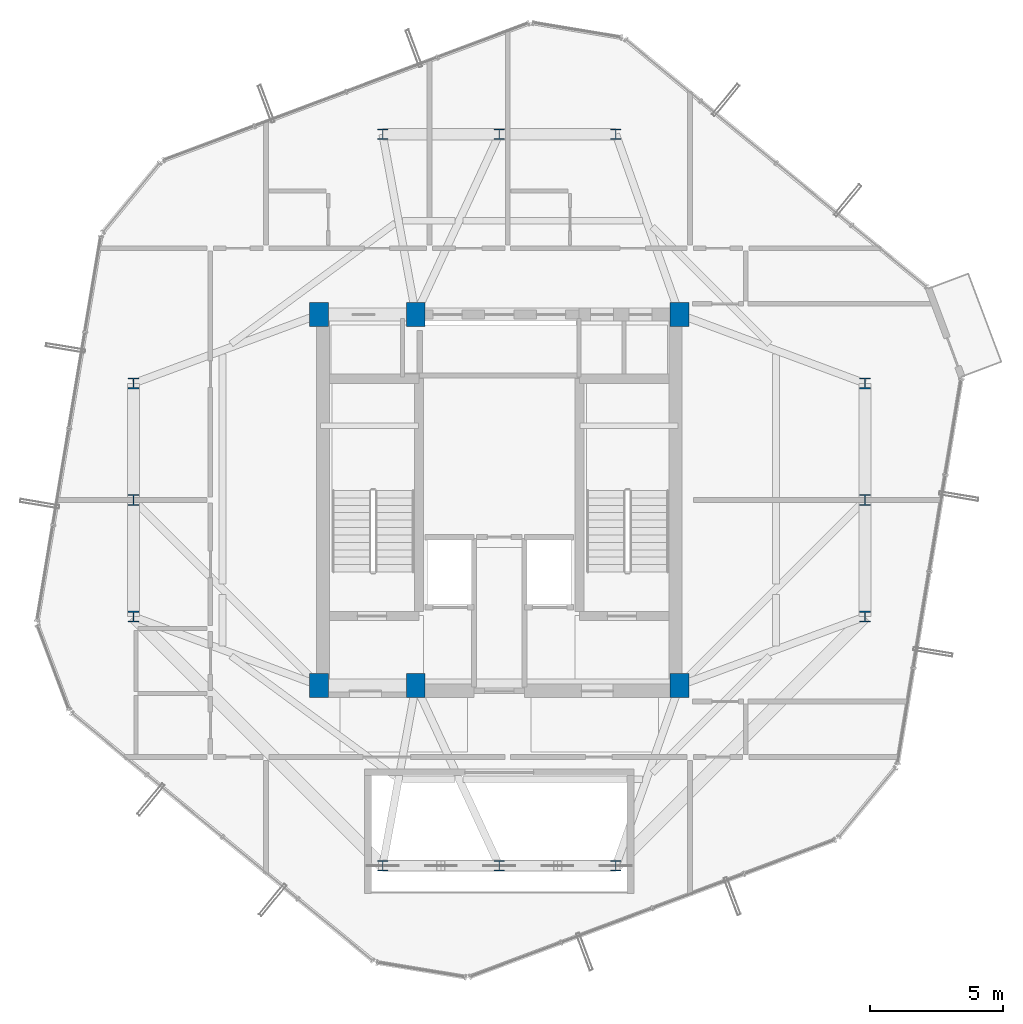
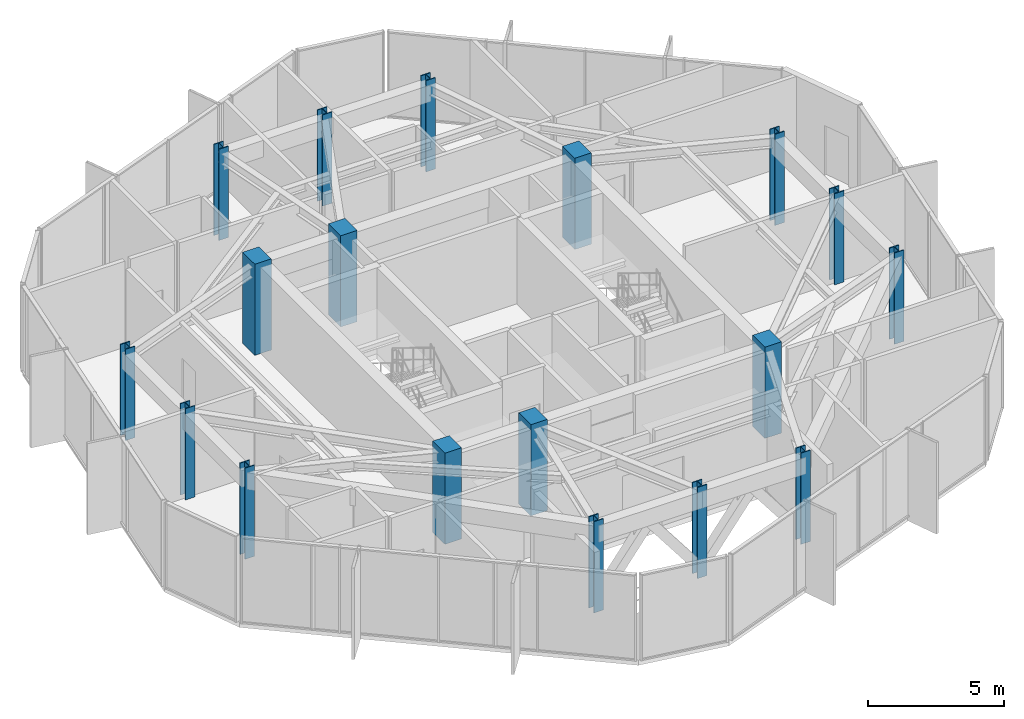
# One storey, part 1 of 22: 18 columns.
"""IFC4 building model written with IfcOpenShell, lengths in metres."""

from ifc_helpers import new_model, si_unit, direction, frame, origin, origin_2d, place, context, subcontext, project, spatial, rectangle, i_section, extrude, material, material_profile, profile_set, type_object, element, save


model = new_model("IFC4")

# Units and contexts
model_context = context("Model", 3, precision=1e-05, world=origin(), true_north=direction((0.0, 1.0)))
body_context = subcontext(model_context, "Body", "Model", "MODEL_VIEW")
ifc_project = project(units=[si_unit("LENGTHUNIT", "METRE"), si_unit("AREAUNIT", "SQUARE_METRE"), si_unit("VOLUMEUNIT", "CUBIC_METRE"), si_unit("PLANEANGLEUNIT", "RADIAN"), si_unit("MASSUNIT", "GRAM", prefix="KILO")], contexts=[model_context])

# Site, building, storey
site_placement = place(None, origin())
site = spatial("IfcSite", under=ifc_project, at=site_placement, CompositionType="ELEMENT")
building_placement = place(site_placement, origin())
building = spatial("IfcBuilding", under=site, at=building_placement, Name="Veraguas Prism Commons", CompositionType="ELEMENT")
storey_placement = place(building_placement, frame((0.0, 0.0, 240.64990234375)))
storey = spatial("IfcBuildingStorey", under=building, at=storey_placement, Name="L68", CompositionType="ELEMENT", Elevation=240.64990234375)

# Columns
ifc_material_1 = material(Name="Steel ASTM A992 Grade 50", Category="steel")
ifc_material_profile_1 = material_profile(ifc_material_1, i_section(OverallWidth=0.404052734375, OverallDepth=0.406982421875, WebThickness=0.025146484375, FlangeThickness=0.040283203125, at=origin_2d()), Name="W360X347")
ifc_profile_set_1 = profile_set([ifc_material_profile_1], Name="Steel ASTM A992 Grade 50")
column_type_1 = type_object("IfcColumnType", Name="Column Crown Portal W360x347", PredefinedType="COLUMN", material=ifc_profile_set_1)
for number, where, z_axis, x_axis, name in (
    (1, (37.800048828125, 19.60009765625, 0.0), (0.0, 0.0, 1.0), (1.0, 0.0, 0.0), "Tower Perimeter Column L68-TB01"),
    (2, (37.800048828125, 24.0, 0.0), (0.0, 0.0, 1.0), (1.0, 0.0, 0.0), "Tower Perimeter Column L68-TB02"),
    (3, (37.800048828125, 28.39990234375, 0.0), (0.0, 0.0, 1.0), (1.0, 0.0, 0.0), "Tower Perimeter Column L68-TB03"),
    (4, (28.39990234375, 37.800048828125, 0.0), (0.0, 0.0, 1.0), (1.0, 0.0, 0.0), "Tower Perimeter Column L68-TB04"),
    (5, (24.0, 37.800048828125, 0.0), (0.0, 0.0, 1.0), (1.0, 0.0, 0.0), "Tower Perimeter Column L68-TB05"),
    (6, (19.60009765625, 37.800048828125, 0.0), (0.0, 0.0, 1.0), (1.0, 0.0, 0.0), "Tower Perimeter Column L68-TB06"),
    (7, (10.199951171875, 28.39990234375, 0.0), (0.0, 0.0, 1.0), (1.0, 0.0, 0.0), "Tower Perimeter Column L68-TB07"),
    (8, (10.199951171875, 24.0, 0.0), (0.0, 0.0, 1.0), (1.0, 0.0, 0.0), "Tower Perimeter Column L68-TB08"),
    (9, (10.199951171875, 19.60009765625, 0.0), (0.0, 0.0, 1.0), (1.0, 0.0, 0.0), "Tower Perimeter Column L68-TB09"),
    (10, (19.60009765625, 10.199951171875, 0.0), (0.0, 0.0, 1.0), (1.0, 0.0, 0.0), "Tower Perimeter Column L68-TB10"),
    (11, (24.0, 10.199951171875, 0.0), (0.0, 0.0, 1.0), (1.0, 0.0, 0.0), "Tower Perimeter Column L68-TB11"),
    (12, (28.39990234375, 10.199951171875, 0.0), (0.0, 0.0, 1.0), (1.0, 0.0, 0.0), "Tower Perimeter Column L68-TB12"),
):
    element("IfcColumn", number, at=place(storey_placement, frame(where, z_axis=z_axis, x_axis=x_axis)), inside=storey, type_object=column_type_1, Name=name, PredefinedType="COLUMN", context=body_context, shape_type="SweptSolid", body=[
        extrude(i_section(OverallWidth=0.404052734375, OverallDepth=0.406982421875, WebThickness=0.025146484375, FlangeThickness=0.040283203125, at=origin_2d()), origin(), (0.0, 0.0, 1.0), 4.10009765625),
    ])
ifc_material_2 = material(Name="Concrete C50/60", Category="concrete")
ifc_material_profile_2 = material_profile(ifc_material_2, rectangle(XDim=0.699951171875, YDim=0.89990234375, at=origin_2d()), Name="RC700X900")
ifc_profile_set_2 = profile_set([ifc_material_profile_2], Name="Concrete C50/60")
column_type_2 = type_object("IfcColumnType", Name="Pilaster Core Upper RC 700x900", PredefinedType="PILASTER", material=ifc_profile_set_2)
for number, where, z_axis, x_axis, name in (
    (13, (17.199951171875, 17.0, 0.0), (0.0, 0.0, 1.0), (1.0, 0.0, 0.0), "Core Pilaster Column L68-CR1"),
    (14, (20.85009765625, 17.0, 0.0), (0.0, 0.0, 1.0), (1.0, 0.0, 0.0), "Core Pilaster Column L68-CR2"),
    (15, (30.800048828125, 17.0, 0.0), (0.0, 0.0, 1.0), (1.0, 0.0, 0.0), "Core Pilaster Column L68-CR3"),
    (16, (17.199951171875, 31.0, 0.0), (0.0, 0.0, 1.0), (1.0, 0.0, 0.0), "Core Pilaster Column L68-CR4"),
    (17, (20.85009765625, 31.0, 0.0), (0.0, 0.0, 1.0), (1.0, 0.0, 0.0), "Core Pilaster Column L68-CR5"),
    (18, (30.800048828125, 31.0, 0.0), (0.0, 0.0, 1.0), (1.0, 0.0, 0.0), "Core Pilaster Column L68-CR6"),
):
    element("IfcColumn", number, at=place(storey_placement, frame(where, z_axis=z_axis, x_axis=x_axis)), inside=storey, type_object=column_type_2, Name=name, PredefinedType="PILASTER", context=body_context, shape_type="SweptSolid", body=[
        extrude(rectangle(XDim=0.699951171875, YDim=0.89990234375, at=origin_2d()), origin(), (0.0, 0.0, 1.0), 4.10009765625),
    ])

save(model, "model.ifc")
